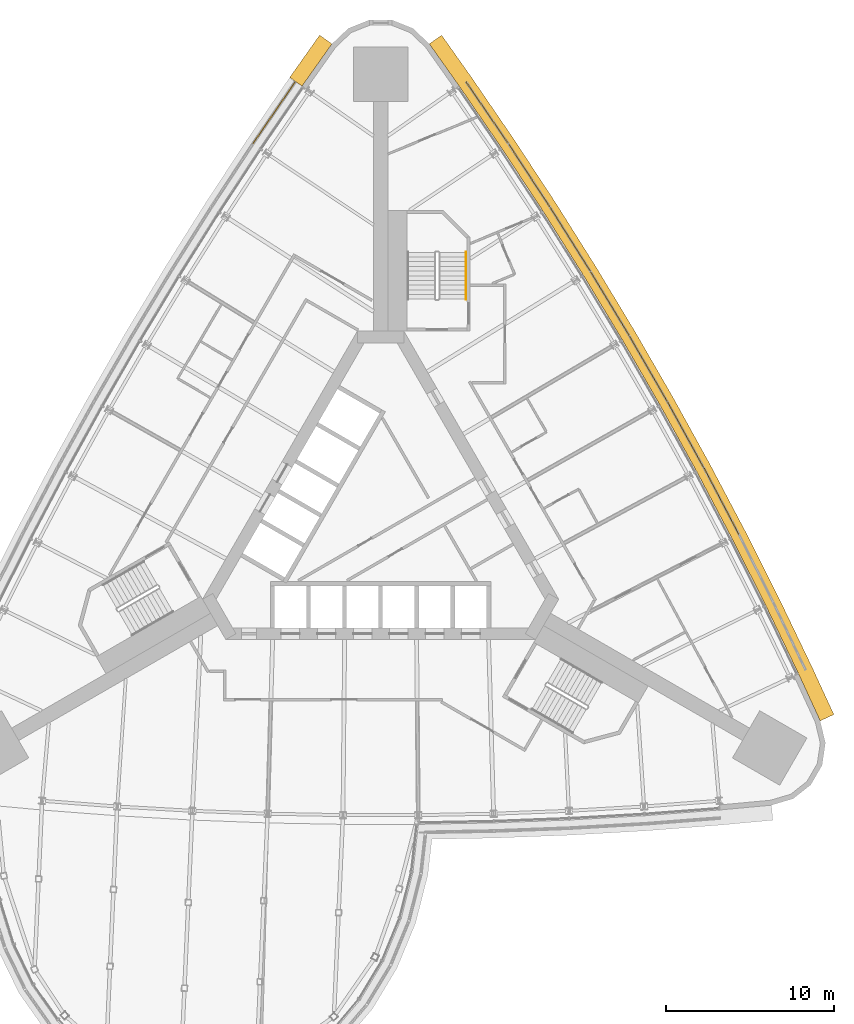
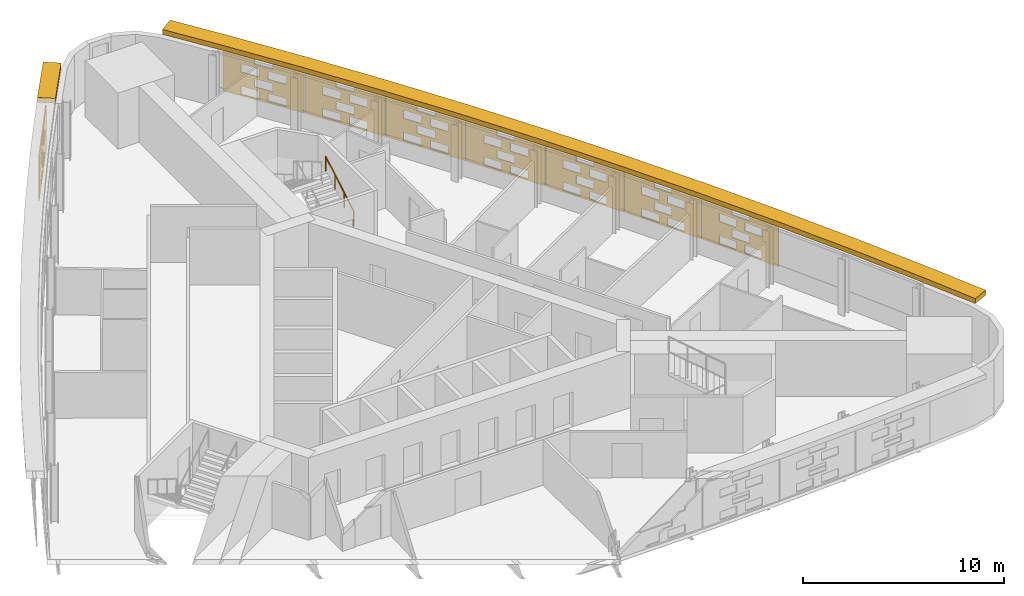
# One storey, part 16 of 16: 10 shading devices, 1 railing.
"""IFC4 building model written with IfcOpenShell, lengths in metres."""

from ifc_helpers import new_model, si_unit, direction, frame, origin, origin_2d, place, context, subcontext, project, spatial, polyline, circle, outline, extrude, material, material_profile, profile_set, type_object, element, save


model = new_model("IFC4")

# Units and contexts
model_context = context("Model", 3, precision=1e-05, world=origin(), true_north=direction((0.0, 1.0)))
body_context = subcontext(model_context, "Body", "Model", "MODEL_VIEW")
ifc_project = project(units=[si_unit("LENGTHUNIT", "METRE"), si_unit("AREAUNIT", "SQUARE_METRE"), si_unit("VOLUMEUNIT", "CUBIC_METRE"), si_unit("PLANEANGLEUNIT", "RADIAN"), si_unit("MASSUNIT", "GRAM", prefix="KILO")], contexts=[model_context])

# Site, building, storey
site_placement = place(None, origin())
site = spatial("IfcSite", under=ifc_project, at=site_placement, CompositionType="ELEMENT")
building_placement = place(site_placement, origin())
building = spatial("IfcBuilding", under=site, at=building_placement, Name="Noor Cloister Tower", CompositionType="ELEMENT")
storey_placement = place(building_placement, frame((0.0, 0.0, 65.39990234375)))
storey = spatial("IfcBuildingStorey", under=building, at=storey_placement, Name="L16", CompositionType="ELEMENT", Elevation=65.39990234375)

# Shading devices
ifc_material_1 = material(Name="Limestone", Category="masonry")
ifc_material_profile = material_profile(ifc_material_1, outline(polyline([(-2.22998046875, -1.35009765625), (2.22998046875, -1.35009765625), (2.22998046875, 1.35009765625), (-2.22998046875, 1.35009765625), (-2.22998046875, -1.35009765625)]), holes=[polyline([(-1.25, -1.263427734375), (-0.25, -1.263427734375), (-0.25, -0.76171875), (-1.25, -0.76171875), (-1.25, -1.263427734375)]), polyline([(0.25, -1.263427734375), (1.25, -1.263427734375), (1.25, -0.76171875), (0.25, -0.76171875), (0.25, -1.263427734375)]), polyline([(-0.5, -0.58837890625), (0.5, -0.58837890625), (0.5, -0.086669921875), (-0.5, -0.086669921875), (-0.5, -0.58837890625)]), polyline([(-1.25, 0.086669921875), (-0.25, 0.086669921875), (-0.25, 0.58837890625), (-1.25, 0.58837890625), (-1.25, 0.086669921875)]), polyline([(0.25, 0.086669921875), (1.25, 0.086669921875), (1.25, 0.58837890625), (0.25, 0.58837890625), (0.25, 0.086669921875)]), polyline([(-0.5, 0.76171875), (0.5, 0.76171875), (0.5, 1.263427734375), (-0.5, 1.263427734375), (-0.5, 0.76171875)])]), Name="Woven screen 25 percent open")
ifc_profile_set = profile_set([ifc_material_profile], Name="Limestone")
shading_device_type_1 = type_object("IfcShadingDeviceType", Name="SCREEN woven limestone 25 percent open", PredefinedType="USERDEFINED", material=ifc_profile_set)
for number, where, z_axis, x_axis, name in (
    (1, (-6.325439453125, 24.455078125, 1.85009765625), (-0.825107815773, 0.564975302426, 0.0), (-0.564975302426, -0.825107815773, 0.0), "SCREEN L16 1"),
    (2, (20.287841796875, 1.30419921875, 1.85009765625), (0.886149575817, 0.463399319464, 0.0), (-0.463399319464, 0.886149575817, 0.0), "SCREEN L16 3"),
):
    element("IfcShadingDevice", number, at=place(storey_placement, frame(where, z_axis=z_axis, x_axis=x_axis)), inside=storey, type_object=shading_device_type_1, Name=name, ObjectType="SCREEN", PredefinedType="USERDEFINED", context=body_context, shape_type="SweptSolid", body=[
        extrude(outline(polyline([(-2.22998046875, -1.35009765625), (2.22998046875, -1.35009765625), (2.22998046875, 1.35009765625), (-2.22998046875, 1.35009765625), (-2.22998046875, -1.35009765625)]), holes=[polyline([(-1.25, -1.263427734375), (-0.25, -1.263427734375), (-0.25, -0.76171875), (-1.25, -0.76171875), (-1.25, -1.263427734375)]), polyline([(0.25, -1.263427734375), (1.25, -1.263427734375), (1.25, -0.76171875), (0.25, -0.76171875), (0.25, -1.263427734375)]), polyline([(-0.5, -0.58837890625), (0.5, -0.58837890625), (0.5, -0.086669921875), (-0.5, -0.086669921875), (-0.5, -0.58837890625)]), polyline([(-1.25, 0.086669921875), (-0.25, 0.086669921875), (-0.25, 0.58837890625), (-1.25, 0.58837890625), (-1.25, 0.086669921875)]), polyline([(0.25, 0.086669921875), (1.25, 0.086669921875), (1.25, 0.58837890625), (0.25, 0.58837890625), (0.25, 0.086669921875)]), polyline([(-0.5, 0.76171875), (0.5, 0.76171875), (0.5, 1.263427734375), (-0.5, 1.263427734375), (-0.5, 0.76171875)])]), origin(), (0.0, 0.0, 1.0), 0.06005859375),
    ])
shading_device_1_placement = place(storey_placement, frame((18.146484375, 5.271484375, 1.85009765625), z_axis=(0.876645997325, 0.481135942718, 0.0), x_axis=(-0.481135942718, 0.876645997325, 0.0)))
element("IfcShadingDevice", 3, at=shading_device_1_placement, inside=storey, type_object=shading_device_type_1, Name="SCREEN L16 4", ObjectType="SCREEN", PredefinedType="USERDEFINED", context=body_context, shape_type="SweptSolid", body=[
    extrude(outline(polyline([(-2.22998046875, -1.35009765625), (2.22998046875, -1.35009765625), (2.22998046875, 1.35009765625), (-2.22998046875, 1.35009765625), (-2.22998046875, -1.35009765625)]), holes=[polyline([(-1.25, -1.263427734375), (-0.25, -1.263427734375), (-0.25, -0.76171875), (-1.25, -0.76171875), (-1.25, -1.263427734375)]), polyline([(0.25, -1.263427734375), (1.25, -1.263427734375), (1.25, -0.76171875), (0.25, -0.76171875), (0.25, -1.263427734375)]), polyline([(-0.5, -0.58837890625), (0.5, -0.58837890625), (0.5, -0.086669921875), (-0.5, -0.086669921875), (-0.5, -0.58837890625)]), polyline([(-1.25, 0.086669921875), (-0.25, 0.086669921875), (-0.25, 0.58837890625), (-1.25, 0.58837890625), (-1.25, 0.086669921875)]), polyline([(0.25, 0.086669921875), (1.25, 0.086669921875), (1.25, 0.58837890625), (0.25, 0.58837890625), (0.25, 0.086669921875)]), polyline([(-0.5, 0.76171875), (0.5, 0.76171875), (0.5, 1.263427734375), (-0.5, 1.263427734375), (-0.5, 0.76171875)])]), origin(), (0.0, 0.0, 1.0), 0.059814453125),
])
shading_device_2_placement = place(storey_placement, frame((15.9296875, 9.197021484375, 1.85009765625), z_axis=(0.865982457891, 0.500074377092, 0.0), x_axis=(-0.500074377092, 0.865982457891, 0.0)))
element("IfcShadingDevice", 4, at=shading_device_2_placement, inside=storey, type_object=shading_device_type_1, Name="SCREEN L16 5", ObjectType="SCREEN", PredefinedType="USERDEFINED", context=body_context, shape_type="SweptSolid", body=[
    extrude(outline(polyline([(-2.22998046875, -1.35009765625), (2.22998046875, -1.35009765625), (2.22998046875, 1.35009765625), (-2.22998046875, 1.35009765625), (-2.22998046875, -1.35009765625)]), holes=[polyline([(-1.25, -1.263427734375), (-0.25, -1.263427734375), (-0.25, -0.76171875), (-1.25, -0.76171875), (-1.25, -1.263427734375)]), polyline([(0.25, -1.263427734375), (1.25, -1.263427734375), (1.25, -0.76171875), (0.25, -0.76171875), (0.25, -1.263427734375)]), polyline([(-0.5, -0.58837890625), (0.5, -0.58837890625), (0.5, -0.086669921875), (-0.5, -0.086669921875), (-0.5, -0.58837890625)]), polyline([(-1.25, 0.086669921875), (-0.25, 0.086669921875), (-0.25, 0.58837890625), (-1.25, 0.58837890625), (-1.25, 0.086669921875)]), polyline([(0.25, 0.086669921875), (1.25, 0.086669921875), (1.25, 0.58837890625), (0.25, 0.58837890625), (0.25, 0.086669921875)]), polyline([(-0.5, 0.76171875), (0.5, 0.76171875), (0.5, 1.263427734375), (-0.5, 1.263427734375), (-0.5, 0.76171875)])]), origin(), (0.0, 0.0, 1.0), 0.06005859375),
])
shading_device_3_placement = place(storey_placement, frame((13.638427734375, 13.07958984375, 1.85009765625), z_axis=(0.855690023312, 0.517488728384, 0.0), x_axis=(-0.517488728384, 0.855690023312, 0.0)))
element("IfcShadingDevice", 5, at=shading_device_3_placement, inside=storey, type_object=shading_device_type_1, Name="SCREEN L16 6", ObjectType="SCREEN", PredefinedType="USERDEFINED", context=body_context, shape_type="SweptSolid", body=[
    extrude(outline(polyline([(-2.22998046875, -1.35009765625), (2.22998046875, -1.35009765625), (2.22998046875, 1.35009765625), (-2.22998046875, 1.35009765625), (-2.22998046875, -1.35009765625)]), holes=[polyline([(-1.25, -1.263427734375), (-0.25, -1.263427734375), (-0.25, -0.76171875), (-1.25, -0.76171875), (-1.25, -1.263427734375)]), polyline([(0.25, -1.263427734375), (1.25, -1.263427734375), (1.25, -0.76171875), (0.25, -0.76171875), (0.25, -1.263427734375)]), polyline([(-0.5, -0.58837890625), (0.5, -0.58837890625), (0.5, -0.086669921875), (-0.5, -0.086669921875), (-0.5, -0.58837890625)]), polyline([(-1.25, 0.086669921875), (-0.25, 0.086669921875), (-0.25, 0.58837890625), (-1.25, 0.58837890625), (-1.25, 0.086669921875)]), polyline([(0.25, 0.086669921875), (1.25, 0.086669921875), (1.25, 0.58837890625), (0.25, 0.58837890625), (0.25, 0.086669921875)]), polyline([(-0.5, 0.76171875), (0.5, 0.76171875), (0.5, 1.263427734375), (-0.5, 1.263427734375), (-0.5, 0.76171875)])]), origin(), (0.0, 0.0, 1.0), 0.059814453125),
])
shading_device_4_placement = place(storey_placement, frame((11.2734375, 16.917724609375, 1.85009765625), z_axis=(0.846164898331, 0.53292116193, 0.0), x_axis=(-0.53292116193, 0.846164898331, 0.0)))
element("IfcShadingDevice", 6, at=shading_device_4_placement, inside=storey, type_object=shading_device_type_1, Name="SCREEN L16 7", ObjectType="SCREEN", PredefinedType="USERDEFINED", context=body_context, shape_type="SweptSolid", body=[
    extrude(outline(polyline([(-2.22998046875, -1.35009765625), (2.22998046875, -1.35009765625), (2.22998046875, 1.35009765625), (-2.22998046875, 1.35009765625), (-2.22998046875, -1.35009765625)]), holes=[polyline([(-1.25, -1.263427734375), (-0.25, -1.263427734375), (-0.25, -0.76171875), (-1.25, -0.76171875), (-1.25, -1.263427734375)]), polyline([(0.25, -1.263427734375), (1.25, -1.263427734375), (1.25, -0.76171875), (0.25, -0.76171875), (0.25, -1.263427734375)]), polyline([(-0.5, -0.58837890625), (0.5, -0.58837890625), (0.5, -0.086669921875), (-0.5, -0.086669921875), (-0.5, -0.58837890625)]), polyline([(-1.25, 0.086669921875), (-0.25, 0.086669921875), (-0.25, 0.58837890625), (-1.25, 0.58837890625), (-1.25, 0.086669921875)]), polyline([(0.25, 0.086669921875), (1.25, 0.086669921875), (1.25, 0.58837890625), (0.25, 0.58837890625), (0.25, 0.086669921875)]), polyline([(-0.5, 0.76171875), (0.5, 0.76171875), (0.5, 1.263427734375), (-0.5, 1.263427734375), (-0.5, 0.76171875)])]), origin(), (0.0, 0.0, 1.0), 0.06005859375),
])
shading_device_5_placement = place(storey_placement, frame((8.83544921875, 20.710205078125, 1.85009765625), z_axis=(0.837041537521, 0.547139346477, 0.0), x_axis=(-0.547139346477, 0.837041537521, 0.0)))
element("IfcShadingDevice", 7, at=shading_device_5_placement, inside=storey, type_object=shading_device_type_1, Name="SCREEN L16 8", ObjectType="SCREEN", PredefinedType="USERDEFINED", context=body_context, shape_type="SweptSolid", body=[
    extrude(outline(polyline([(-2.22998046875, -1.35009765625), (2.22998046875, -1.35009765625), (2.22998046875, 1.35009765625), (-2.22998046875, 1.35009765625), (-2.22998046875, -1.35009765625)]), holes=[polyline([(-1.25, -1.263427734375), (-0.25, -1.263427734375), (-0.25, -0.76171875), (-1.25, -0.76171875), (-1.25, -1.263427734375)]), polyline([(0.25, -1.263427734375), (1.25, -1.263427734375), (1.25, -0.76171875), (0.25, -0.76171875), (0.25, -1.263427734375)]), polyline([(-0.5, -0.58837890625), (0.5, -0.58837890625), (0.5, -0.086669921875), (-0.5, -0.086669921875), (-0.5, -0.58837890625)]), polyline([(-1.25, 0.086669921875), (-0.25, 0.086669921875), (-0.25, 0.58837890625), (-1.25, 0.58837890625), (-1.25, 0.086669921875)]), polyline([(0.25, 0.086669921875), (1.25, 0.086669921875), (1.25, 0.58837890625), (0.25, 0.58837890625), (0.25, 0.086669921875)]), polyline([(-0.5, 0.76171875), (0.5, 0.76171875), (0.5, 1.263427734375), (-0.5, 1.263427734375), (-0.5, 0.76171875)])]), origin(), (0.0, 0.0, 1.0), 0.059814453125),
])
shading_device_6_placement = place(storey_placement, frame((6.325439453125, 24.455078125, 1.85009765625), z_axis=(0.825107815773, 0.564975302426, 0.0), x_axis=(-0.564975302426, 0.825107815773, 0.0)))
element("IfcShadingDevice", 8, at=shading_device_6_placement, inside=storey, type_object=shading_device_type_1, Name="SCREEN L16 9", ObjectType="SCREEN", PredefinedType="USERDEFINED", context=body_context, shape_type="SweptSolid", body=[
    extrude(outline(polyline([(-2.22998046875, -1.35009765625), (2.22998046875, -1.35009765625), (2.22998046875, 1.35009765625), (-2.22998046875, 1.35009765625), (-2.22998046875, -1.35009765625)]), holes=[polyline([(-1.25, -1.263427734375), (-0.25, -1.263427734375), (-0.25, -0.76171875), (-1.25, -0.76171875), (-1.25, -1.263427734375)]), polyline([(0.25, -1.263427734375), (1.25, -1.263427734375), (1.25, -0.76171875), (0.25, -0.76171875), (0.25, -1.263427734375)]), polyline([(-0.5, -0.58837890625), (0.5, -0.58837890625), (0.5, -0.086669921875), (-0.5, -0.086669921875), (-0.5, -0.58837890625)]), polyline([(-1.25, 0.086669921875), (-0.25, 0.086669921875), (-0.25, 0.58837890625), (-1.25, 0.58837890625), (-1.25, 0.086669921875)]), polyline([(0.25, 0.086669921875), (1.25, 0.086669921875), (1.25, 0.58837890625), (0.25, 0.58837890625), (0.25, 0.086669921875)]), polyline([(-0.5, 0.76171875), (0.5, 0.76171875), (0.5, 1.263427734375), (-0.5, 1.263427734375), (-0.5, 0.76171875)])]), origin(), (0.0, 0.0, 1.0), 0.06005859375),
])
ifc_material_2 = material(Name="Limestone", Category="masonry")
shading_device_type_2 = type_object("IfcShadingDeviceType", Name="SUNSHADE limestone band 900", PredefinedType="USERDEFINED", material=ifc_material_2)
shading_device_7_placement = place(storey_placement, frame((0.0, 0.0, 3.300048828125)))
element("IfcShadingDevice", 9, at=shading_device_7_placement, inside=storey, type_object=shading_device_type_2, Name="SUNSHADE L16 3", ObjectType="SUNSHADE", PredefinedType="USERDEFINED", context=body_context, shape_type="SweptSolid", body=[
    extrude(outline(polyline([(27.015869140625, -11.399658203125), (25.723388671875, -8.590087890625), (23.7705078125, -4.5185546875), (21.73974609375, -0.483642578125), (19.632080078125, 3.51171875), (17.44873046875, 7.466064453125), (15.190185546875, 11.3779296875), (12.857421875, 15.24609375), (10.450927734375, 19.06884765625), (7.97216796875, 22.84521484375), (5.42236328125, 26.572265625), (3.635498046875, 29.09619140625), (2.90087890625, 28.576171875), (4.683837890625, 26.05810546875), (7.224609375, 22.343994140625), (9.69384765625, 18.582275390625), (12.091064453125, 14.77392578125), (14.4150390625, 10.920654296875), (16.6650390625, 7.0234375), (18.840087890625, 3.084228515625), (20.939697265625, -0.89599609375), (22.962890625, -4.91552734375), (24.908935546875, -8.972900390625), (26.1982421875, -11.77587890625), (27.015869140625, -11.399658203125)])), origin(), (0.0, 0.0, 1.0), 0.300048828125),
])
shading_device_8_placement = place(storey_placement, frame((0.0, 0.0, 3.300048828125)))
element("IfcShadingDevice", 10, at=shading_device_8_placement, inside=storey, type_object=shading_device_type_2, Name="SUNSHADE L16 4", ObjectType="SUNSHADE", PredefinedType="USERDEFINED", context=body_context, shape_type="SweptSolid", body=[
    extrude(outline(polyline([(-3.635498046875, 29.09619140625), (-5.418212890625, 26.578125), (-4.683837890625, 26.05810546875), (-2.90087890625, 28.576171875), (-3.635498046875, 29.09619140625)])), origin(), (0.0, 0.0, 1.0), 0.300048828125),
])

# Railing
ifc_material_3 = material(Name="Stainless steel", Category="steel")
railing_type = type_object("IfcRailingType", Name="Stair handrail 900", PredefinedType="HANDRAIL", material=ifc_material_3)
railing_placement = place(storey_placement, frame((5.085693359375, 13.3564453125, 0.163818359375)))
element("IfcRailing", 11, at=railing_placement, inside=storey, type_object=railing_type, Name="Stair handrail ST1 L16 1", PredefinedType="HANDRAIL", context=body_context, shape_type="SweptSolid", body=[
    extrude(circle(Radius=0.02392578125, at=origin_2d()), frame((0.0, 0.0, 0.8759765625), z_axis=(0.0, 0.863393664356, 0.504530851732), x_axis=(-1.0, 0.0, 0.0)), (0.0, 0.0, 1.0), 3.2431640625),
    extrude(circle(Radius=0.02099609375, at=origin_2d()), origin(), (0.0, 0.0, 1.0), 0.851806640625),
    extrude(circle(Radius=0.02099609375, at=origin_2d()), frame((0.0, 0.933349609375, 0.54541015625)), (0.0, 0.0, 1.0), 0.851806640625),
    extrude(circle(Radius=0.02099609375, at=origin_2d()), frame((0.0, 1.86669921875, 1.0908203125)), (0.0, 0.0, 1.0), 0.851806640625),
    extrude(circle(Radius=0.02099609375, at=origin_2d()), frame((0.0, 2.800048828125, 1.63623046875)), (0.0, 0.0, 1.0), 0.851806640625),
])

save(model, "model.ifc")
